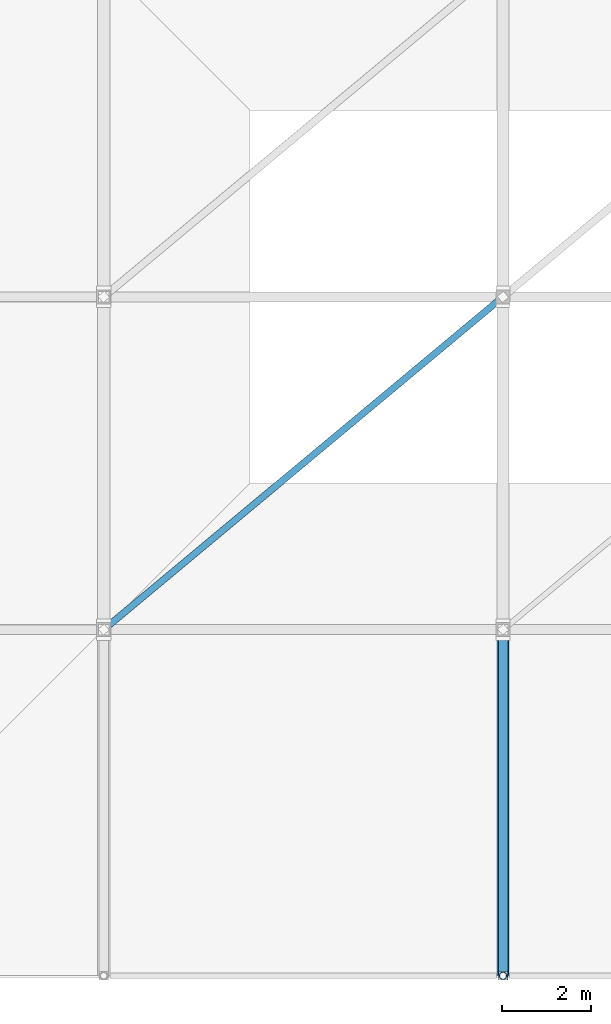
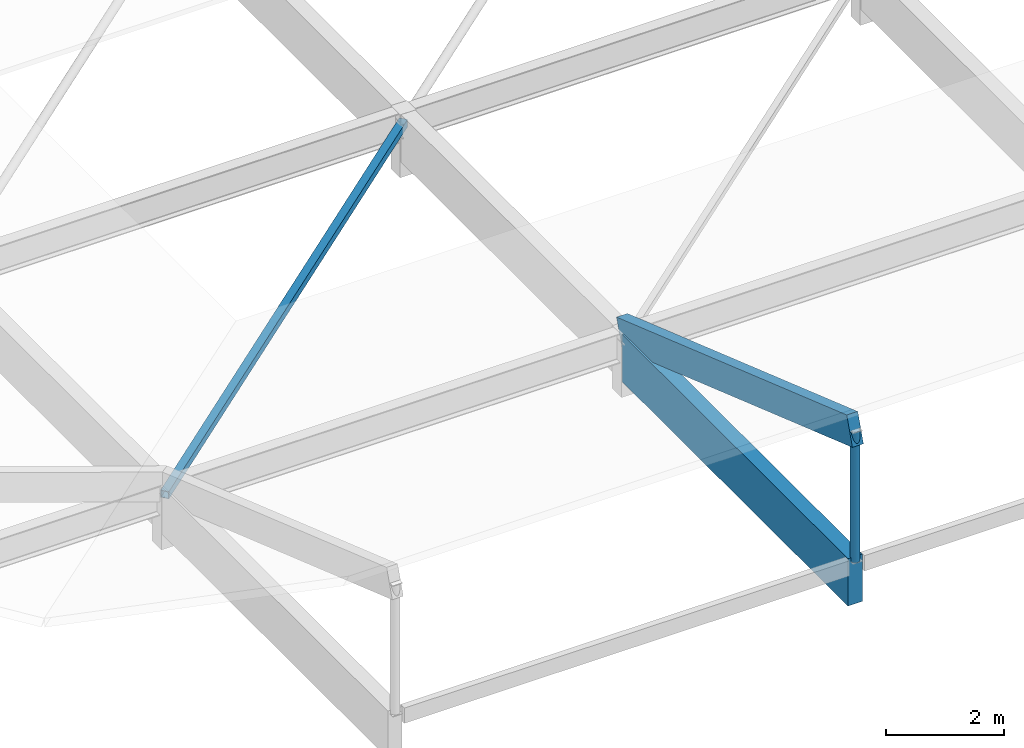
# One storey, part 4 of 19: 3 members, 1 beam.
"""IFC4 building model written with IfcOpenShell, lengths in metres."""

from ifc_helpers import new_model, si_unit, direction, frame, origin, origin_2d, place, context, subcontext, project, spatial, rectangle, hollow_rectangle, hollow_circle, extrude, material, material_profile, profile_set, type_object, element, save


model = new_model("IFC4")

# Units and contexts
model_context = context("Model", 3, precision=1e-05, world=origin(), true_north=direction((0.0, 1.0)))
body_context = subcontext(model_context, "Body", "Model", "MODEL_VIEW")
ifc_project = project(units=[si_unit("LENGTHUNIT", "METRE"), si_unit("AREAUNIT", "SQUARE_METRE"), si_unit("VOLUMEUNIT", "CUBIC_METRE"), si_unit("PLANEANGLEUNIT", "RADIAN"), si_unit("MASSUNIT", "GRAM", prefix="KILO")], contexts=[model_context])

# Site, building, storey
site_placement = place(None, origin())
site = spatial("IfcSite", under=ifc_project, at=site_placement, CompositionType="ELEMENT")
building_placement = place(site_placement, origin())
building = spatial("IfcBuilding", under=site, at=building_placement, Name="Marnridge Secondary College", CompositionType="ELEMENT")
storey_placement = place(building_placement, frame((0.0, 0.0, 23.699951171875)))
storey = spatial("IfcBuildingStorey", under=building, at=storey_placement, Name="Roof Level", CompositionType="ELEMENT", Elevation=23.699951171875)

# Beam
ifc_material_1 = material(Name="Glulam timber GL18", Category="wood")
ifc_material_profile_1 = material_profile(ifc_material_1, rectangle(XDim=0.280029296875, YDim=0.97998046875, at=origin_2d()), Name="GL18 280x980")
ifc_profile_set_1 = profile_set([ifc_material_profile_1], Name="Glulam timber GL18")
beam_type = type_object("IfcBeamType", Name="BM-GL980-EXT", PredefinedType="BEAM", material=ifc_profile_set_1)
beam_placement = place(storey_placement, frame((63.0, 52.348388671875, 0.81005859375), z_axis=(0.0, -1.0, 0.0), x_axis=(1.0, 0.0, 0.0)))
element("IfcBeam", 1, at=beam_placement, inside=storey, type_object=beam_type, Name="Beam BCAN-Roo-1490", PredefinedType="BEAM", context=body_context, shape_type="SweptSolid", body=[
    extrude(rectangle(XDim=0.280029296875, YDim=0.97998046875, at=origin_2d()), origin(), (0.0, 0.0, 1.0), 7.6484375),
])

# Members
ifc_material_2 = material(Name="Cold-formed steel Grade C350L0 (AS/NZS 1163, fy = 350 MPa)", Category="steel")
ifc_material_profile_2 = material_profile(ifc_material_2, hollow_circle(Radius=0.084228515625, WallThickness=0.00634765625, at=origin_2d()), Name="168.3x6.4CHS")
ifc_profile_set_2 = profile_set([ifc_material_profile_2], Name="Cold-formed steel Grade C350L0 (AS/NZS 1163, fy = 350 MPa)")
member_type_1 = type_object("IfcMemberType", Name="MB-BR-CHS168E", PredefinedType="BRACE", material=ifc_profile_set_2)
member_1_placement = place(storey_placement, frame((63.0, 44.699951171875, 1.219970703125), z_axis=(0.0, 0.0, 1.0), x_axis=(1.0, 0.0, 0.0)))
element("IfcMember", 2, at=member_1_placement, inside=storey, type_object=member_type_1, Name="Canopy eave web strut MCAN-003", PredefinedType="BRACE", context=body_context, shape_type="SweptSolid", body=[
    extrude(hollow_circle(Radius=0.084228515625, WallThickness=0.00634765625, at=origin_2d()), origin(), (0.0, 0.0, 1.0), 2.705078125),
])
ifc_material_3 = material(Name="Cold-formed steel Grade C350L0 (AS/NZS 1163, fy = 350 MPa)", Category="steel")
ifc_material_profile_3 = material_profile(ifc_material_3, hollow_rectangle(XDim=0.14990234375, YDim=0.14990234375, WallThickness=0.009033203125, at=origin_2d()), Name="150x150x9.0SHS")
ifc_profile_set_3 = profile_set([ifc_material_profile_3], Name="Cold-formed steel Grade C350L0 (AS/NZS 1163, fy = 350 MPa)")
member_type_2 = type_object("IfcMemberType", Name="MB-BR-SHS150", PredefinedType="BRACE", material=ifc_profile_set_3)
member_2_placement = place(storey_placement, frame((54.0, 52.5, 1.0), z_axis=(0.768221279597, 0.640184399664, 0.0), x_axis=(-0.640184399664, 0.768221279597, 0.0)))
element("IfcMember", 3, at=member_2_placement, inside=storey, type_object=member_type_2, Name="Lateral brace BR-011", PredefinedType="BRACE", context=body_context, shape_type="SweptSolid", body=[
    extrude(hollow_rectangle(XDim=0.14990234375, YDim=0.14990234375, WallThickness=0.009033203125, at=origin_2d()), origin(), (0.0, 0.0, 1.0), 11.71533203125),
])
ifc_material_4 = material(Name="Glulam timber GL18", Category="wood")
ifc_material_profile_4 = material_profile(ifc_material_4, rectangle(XDim=0.215087890625, YDim=0.5849609375, at=origin_2d()), Name="GL18 215x585")
ifc_profile_set_4 = profile_set([ifc_material_profile_4], Name="Glulam timber GL18")
member_type_3 = type_object("IfcMemberType", Name="MB-GS-GL585", PredefinedType="CHORD", material=ifc_profile_set_4)
member_3_placement = place(storey_placement, frame((63.0, 52.5, 1.219970703125), z_axis=(0.0, -0.944796411745, 0.327657962444), x_axis=(1.0, 0.0, 0.0)))
element("IfcMember", 4, at=member_3_placement, inside=storey, type_object=member_type_3, Name="Canopy overhang truss chord MCR-003", PredefinedType="CHORD", context=body_context, shape_type="SweptSolid", body=[
    extrude(rectangle(XDim=0.215087890625, YDim=0.5849609375, at=origin_2d()), origin(), (0.0, 0.0, 1.0), 8.255859375),
])

save(model, "model.ifc")
